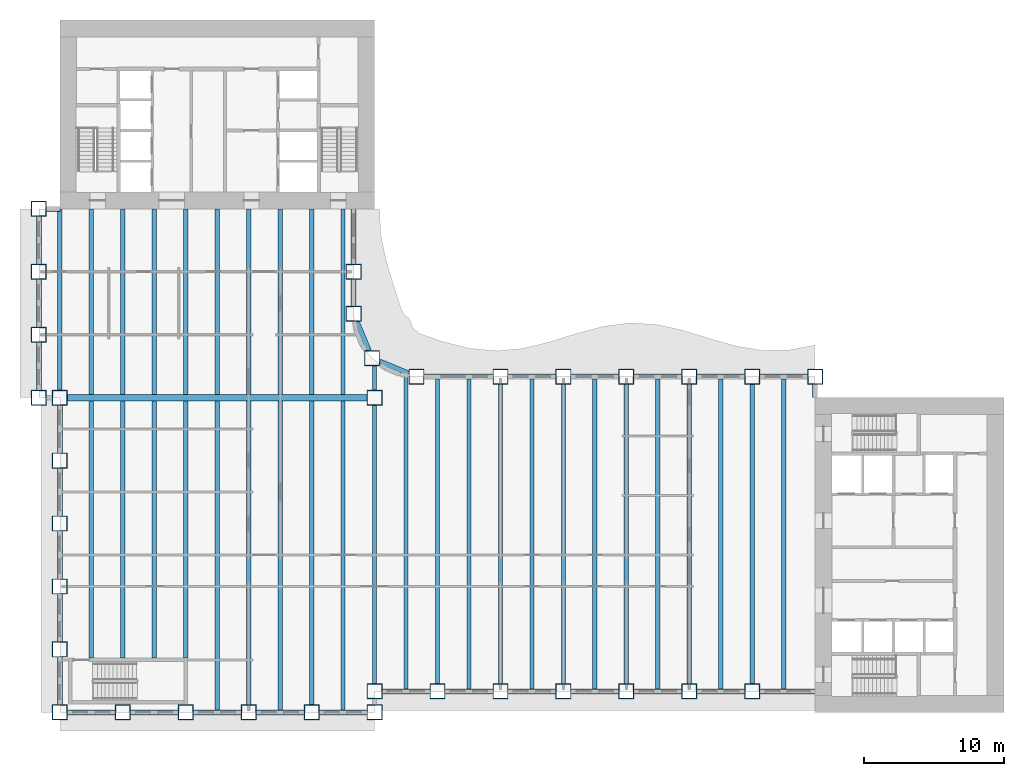
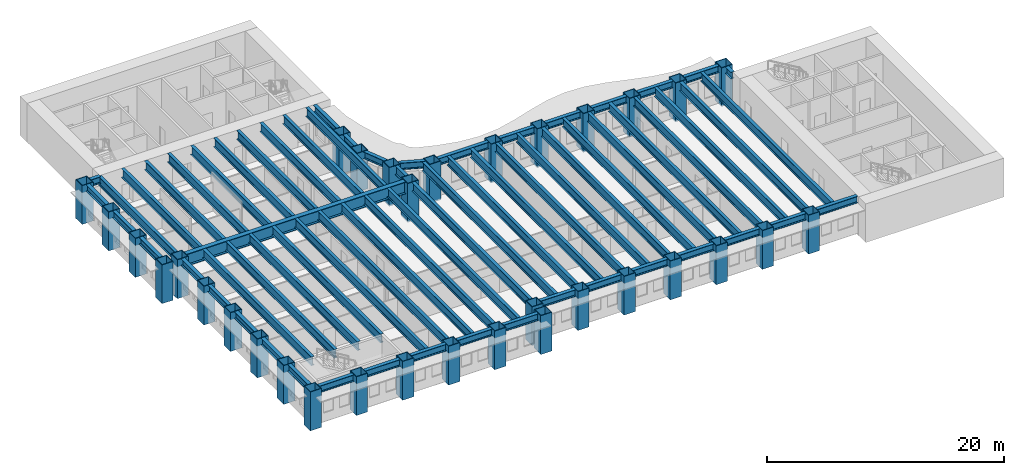
# One storey, part 1 of 15: 67 beams, 33 columns.
"""IFC4 building model written with IfcOpenShell, lengths in metres."""

from ifc_helpers import new_model, si_unit, direction, frame, origin, origin_2d, place, context, subcontext, project, spatial, hollow_rectangle, i_section, extrude, material, material_profile, profile_set, type_object, element, save


model = new_model("IFC4")

# Units and contexts
model_context = context("Model", 3, precision=1e-05, world=origin(), true_north=direction((0.0, 1.0)))
body_context = subcontext(model_context, "Body", "Model", "MODEL_VIEW")
ifc_project = project(units=[si_unit("LENGTHUNIT", "METRE"), si_unit("AREAUNIT", "SQUARE_METRE"), si_unit("VOLUMEUNIT", "CUBIC_METRE"), si_unit("PLANEANGLEUNIT", "RADIAN"), si_unit("MASSUNIT", "GRAM", prefix="KILO")], contexts=[model_context])

# Site, building, storey
site_placement = place(None, origin())
site = spatial("IfcSite", under=ifc_project, at=site_placement, CompositionType="ELEMENT")
building_placement = place(site_placement, origin())
building = spatial("IfcBuilding", under=site, at=building_placement, Name="Sennacour Bend Tower", CompositionType="ELEMENT")
storey_placement = place(building_placement, frame((0.0, 0.0, 61.0)))
storey = spatial("IfcBuildingStorey", under=building, at=storey_placement, Name="L13", CompositionType="ELEMENT", Elevation=61.0)

# Columns
ifc_material_1 = material(Name="Steel ASTM A572 Grade 50", Category="steel")
ifc_material_profile_1 = material_profile(ifc_material_1, hollow_rectangle(XDim=1.10009765625, YDim=1.10009765625, WallThickness=0.06005859375, at=origin_2d()), Name="Steel ASTM A572 Grade 50", Category="steel")
ifc_profile_set_1 = profile_set([ifc_material_profile_1], Name="Steel ASTM A572 Grade 50")
column_type = type_object("IfcColumnType", Name="Box column 1100", PredefinedType="COLUMN", material=ifc_profile_set_1)
for number, where, z_axis, x_axis, name in (
    (1, (-1.5, 22.5, -0.14990234375), (0.0, 0.0, 1.0), (1.0, 0.0, 0.0), "Perimeter column C1 L13-001"),
    (2, (-1.5, 27.0, -0.14990234375), (0.0, 0.0, 1.0), (1.0, 0.0, 0.0), "Perimeter column C1 L13-002"),
    (3, (-1.5, 31.5, -0.14990234375), (0.0, 0.0, 1.0), (1.0, 0.0, 0.0), "Perimeter column C1 L13-003"),
    (4, (-1.5, 36.0, -0.14990234375), (0.0, 0.0, 1.0), (1.0, 0.0, 0.0), "Perimeter column C1 L13-004"),
    (5, (0.0, 0.0, -0.14990234375), (0.0, 0.0, 1.0), (1.0, 0.0, 0.0), "Perimeter column C1 L13-005"),
    (6, (0.0, 4.5, -0.14990234375), (0.0, 0.0, 1.0), (1.0, 0.0, 0.0), "Perimeter column C1 L13-006"),
    (7, (0.0, 9.0, -0.14990234375), (0.0, 0.0, 1.0), (1.0, 0.0, 0.0), "Perimeter column C1 L13-007"),
    (8, (0.0, 13.5, -0.14990234375), (0.0, 0.0, 1.0), (1.0, 0.0, 0.0), "Perimeter column C1 L13-008"),
    (9, (0.0, 18.0, -0.14990234375), (0.0, 0.0, 1.0), (1.0, 0.0, 0.0), "Perimeter column C1 L13-009"),
    (10, (0.0, 22.5, -0.14990234375), (0.0, 0.0, 1.0), (1.0, 0.0, 0.0), "Perimeter column C1 L13-010"),
    (11, (4.5, 0.0, -0.14990234375), (0.0, 0.0, 1.0), (1.0, 0.0, 0.0), "Perimeter column C1 L13-011"),
    (12, (9.0, 0.0, -0.14990234375), (0.0, 0.0, 1.0), (1.0, 0.0, 0.0), "Perimeter column C1 L13-012"),
    (13, (13.5, 0.0, -0.14990234375), (0.0, 0.0, 1.0), (1.0, 0.0, 0.0), "Perimeter column C1 L13-013"),
    (14, (18.0, 0.0, -0.14990234375), (0.0, 0.0, 1.0), (1.0, 0.0, 0.0), "Perimeter column C1 L13-014"),
    (15, (21.0, 28.5, -0.14990234375), (0.0, 0.0, 1.0), (1.0, 0.0, 0.0), "Perimeter column C1 L13-015"),
    (16, (21.0, 31.5, -0.14990234375), (0.0, 0.0, 1.0), (1.0, 0.0, 0.0), "Perimeter column C1 L13-016"),
    (17, (22.318115234375, 25.318115234375, -0.14990234375), (0.0, 0.0, 1.0), (1.0, 0.0, 0.0), "Perimeter column C1 L13-017"),
    (18, (22.5, 0.0, -0.14990234375), (0.0, 0.0, 1.0), (1.0, 0.0, 0.0), "Perimeter column C1 L13-018"),
    (19, (22.5, 1.5, -0.14990234375), (0.0, 0.0, 1.0), (1.0, 0.0, 0.0), "Perimeter column C1 L13-019"),
    (20, (22.5, 22.5, -0.14990234375), (0.0, 0.0, 1.0), (1.0, 0.0, 0.0), "Knuckle column C1 L13-020"),
    (21, (25.5, 24.0, -0.14990234375), (0.0, 0.0, 1.0), (1.0, 0.0, 0.0), "Perimeter column C1 L13-021"),
    (22, (27.0, 1.5, -0.14990234375), (0.0, 0.0, 1.0), (1.0, 0.0, 0.0), "Perimeter column C1 L13-022"),
    (23, (31.5, 1.5, -0.14990234375), (0.0, 0.0, 1.0), (1.0, 0.0, 0.0), "Perimeter column C1 L13-023"),
    (24, (31.5, 24.0, -0.14990234375), (0.0, 0.0, 1.0), (1.0, 0.0, 0.0), "Perimeter column C1 L13-024"),
    (25, (36.0, 1.5, -0.14990234375), (0.0, 0.0, 1.0), (1.0, 0.0, 0.0), "Perimeter column C1 L13-025"),
    (26, (36.0, 24.0, -0.14990234375), (0.0, 0.0, 1.0), (1.0, 0.0, 0.0), "Perimeter column C1 L13-026"),
    (27, (40.5, 1.5, -0.14990234375), (0.0, 0.0, 1.0), (1.0, 0.0, 0.0), "Perimeter column C1 L13-027"),
    (28, (40.5, 24.0, -0.14990234375), (0.0, 0.0, 1.0), (1.0, 0.0, 0.0), "Perimeter column C1 L13-028"),
    (29, (45.0, 1.5, -0.14990234375), (0.0, 0.0, 1.0), (1.0, 0.0, 0.0), "Perimeter column C1 L13-029"),
    (30, (45.0, 24.0, -0.14990234375), (0.0, 0.0, 1.0), (1.0, 0.0, 0.0), "Perimeter column C1 L13-030"),
    (31, (49.5, 1.5, -0.14990234375), (0.0, 0.0, 1.0), (1.0, 0.0, 0.0), "Perimeter column C1 L13-031"),
    (32, (49.5, 24.0, -0.14990234375), (0.0, 0.0, 1.0), (1.0, 0.0, 0.0), "Perimeter column C1 L13-032"),
    (33, (54.0, 24.0, -0.14990234375), (0.0, 0.0, 1.0), (1.0, 0.0, 0.0), "Perimeter column C1 L13-033"),
):
    element("IfcColumn", number, at=place(storey_placement, frame(where, z_axis=z_axis, x_axis=x_axis)), inside=storey, type_object=column_type, Name=name, PredefinedType="COLUMN", context=body_context, shape_type="SweptSolid", body=[
        extrude(hollow_rectangle(XDim=1.10009765625, YDim=1.10009765625, WallThickness=0.06005859375, at=origin_2d()), origin(), (0.0, 0.0, 1.0), 4.0),
    ])

# Beams
ifc_material_2 = material(Name="Steel ASTM A992 Grade 50", Category="steel")
ifc_material_profile_2 = material_profile(ifc_material_2, i_section(OverallWidth=0.304931640625, OverallDepth=0.912109375, WebThickness=0.015869140625, FlangeThickness=0.02392578125, FilletRadius=0.01904296875, at=origin_2d()), Name="Steel ASTM A992 Grade 50", Category="steel")
ifc_profile_set_2 = profile_set([ifc_material_profile_2], Name="Steel ASTM A992 Grade 50")
beam_type_1 = type_object("IfcBeamType", Name="Floor beam W920X223", PredefinedType="BEAM", material=ifc_profile_set_2)
beam_1_placement = place(storey_placement, frame((0.0, 23.050048828125, 3.39404296875), z_axis=(0.0, 1.0, 0.0), x_axis=(-1.0, 0.0, 0.0)))
element("IfcBeam", 34, at=beam_1_placement, inside=storey, type_object=beam_type_1, Name="Floor beam FBM1 L14-001", PredefinedType="BEAM", context=body_context, shape_type="SweptSolid", body=[
    extrude(i_section(OverallWidth=0.304931640625, OverallDepth=0.912109375, WebThickness=0.015869140625, FlangeThickness=0.02392578125, FilletRadius=0.01904296875, at=origin_2d()), origin(), (0.0, 0.0, 1.0), 12.949951171875),
])
beam_2_placement = place(storey_placement, frame((2.25, 3.875, 3.39404296875), z_axis=(0.0, 1.0, 0.0), x_axis=(-1.0, 0.0, 0.0)))
element("IfcBeam", 35, at=beam_2_placement, inside=storey, type_object=beam_type_1, Name="Floor beam FBM1 L14-002", PredefinedType="BEAM", context=body_context, shape_type="SweptSolid", body=[
    extrude(i_section(OverallWidth=0.304931640625, OverallDepth=0.912109375, WebThickness=0.015869140625, FlangeThickness=0.02392578125, FilletRadius=0.01904296875, at=origin_2d()), origin(), (0.0, 0.0, 1.0), 18.39990234375),
])
beam_3_placement = place(storey_placement, frame((2.25, 22.72509765625, 3.39404296875), z_axis=(0.0, 1.0, 0.0), x_axis=(-1.0, 0.0, 0.0)))
element("IfcBeam", 36, at=beam_3_placement, inside=storey, type_object=beam_type_1, Name="Floor beam FBM1 L14-003", PredefinedType="BEAM", context=body_context, shape_type="SweptSolid", body=[
    extrude(i_section(OverallWidth=0.304931640625, OverallDepth=0.912109375, WebThickness=0.015869140625, FlangeThickness=0.02392578125, FilletRadius=0.01904296875, at=origin_2d()), origin(), (0.0, 0.0, 1.0), 13.27490234375),
])
beam_4_placement = place(storey_placement, frame((4.5, 3.875, 3.39404296875), z_axis=(0.0, 1.0, 0.0), x_axis=(-1.0, 0.0, 0.0)))
element("IfcBeam", 37, at=beam_4_placement, inside=storey, type_object=beam_type_1, Name="Floor beam FBM1 L14-004", PredefinedType="BEAM", context=body_context, shape_type="SweptSolid", body=[
    extrude(i_section(OverallWidth=0.304931640625, OverallDepth=0.912109375, WebThickness=0.015869140625, FlangeThickness=0.02392578125, FilletRadius=0.01904296875, at=origin_2d()), origin(), (0.0, 0.0, 1.0), 18.39990234375),
])
beam_5_placement = place(storey_placement, frame((4.5, 22.72509765625, 3.39404296875), z_axis=(0.0, 1.0, 0.0), x_axis=(-1.0, 0.0, 0.0)))
element("IfcBeam", 38, at=beam_5_placement, inside=storey, type_object=beam_type_1, Name="Floor beam FBM1 L14-005", PredefinedType="BEAM", context=body_context, shape_type="SweptSolid", body=[
    extrude(i_section(OverallWidth=0.304931640625, OverallDepth=0.912109375, WebThickness=0.015869140625, FlangeThickness=0.02392578125, FilletRadius=0.01904296875, at=origin_2d()), origin(), (0.0, 0.0, 1.0), 13.27490234375),
])
beam_6_placement = place(storey_placement, frame((6.75, 3.875, 3.39404296875), z_axis=(0.0, 1.0, 0.0), x_axis=(-1.0, 0.0, 0.0)))
element("IfcBeam", 39, at=beam_6_placement, inside=storey, type_object=beam_type_1, Name="Floor beam FBM1 L14-006", PredefinedType="BEAM", context=body_context, shape_type="SweptSolid", body=[
    extrude(i_section(OverallWidth=0.304931640625, OverallDepth=0.912109375, WebThickness=0.015869140625, FlangeThickness=0.02392578125, FilletRadius=0.01904296875, at=origin_2d()), origin(), (0.0, 0.0, 1.0), 18.39990234375),
])
beam_7_placement = place(storey_placement, frame((6.75, 22.72509765625, 3.39404296875), z_axis=(0.0, 1.0, 0.0), x_axis=(-1.0, 0.0, 0.0)))
element("IfcBeam", 40, at=beam_7_placement, inside=storey, type_object=beam_type_1, Name="Floor beam FBM1 L14-007", PredefinedType="BEAM", context=body_context, shape_type="SweptSolid", body=[
    extrude(i_section(OverallWidth=0.304931640625, OverallDepth=0.912109375, WebThickness=0.015869140625, FlangeThickness=0.02392578125, FilletRadius=0.01904296875, at=origin_2d()), origin(), (0.0, 0.0, 1.0), 13.27490234375),
])
beam_8_placement = place(storey_placement, frame((9.0, 3.875, 3.39404296875), z_axis=(0.0, 1.0, 0.0), x_axis=(-1.0, 0.0, 0.0)))
element("IfcBeam", 41, at=beam_8_placement, inside=storey, type_object=beam_type_1, Name="Floor beam FBM1 L14-008", PredefinedType="BEAM", context=body_context, shape_type="SweptSolid", body=[
    extrude(i_section(OverallWidth=0.304931640625, OverallDepth=0.912109375, WebThickness=0.015869140625, FlangeThickness=0.02392578125, FilletRadius=0.01904296875, at=origin_2d()), origin(), (0.0, 0.0, 1.0), 18.39990234375),
])
beam_9_placement = place(storey_placement, frame((9.0, 22.72509765625, 3.39404296875), z_axis=(0.0, 1.0, 0.0), x_axis=(-1.0, 0.0, 0.0)))
element("IfcBeam", 42, at=beam_9_placement, inside=storey, type_object=beam_type_1, Name="Floor beam FBM1 L14-009", PredefinedType="BEAM", context=body_context, shape_type="SweptSolid", body=[
    extrude(i_section(OverallWidth=0.304931640625, OverallDepth=0.912109375, WebThickness=0.015869140625, FlangeThickness=0.02392578125, FilletRadius=0.01904296875, at=origin_2d()), origin(), (0.0, 0.0, 1.0), 13.27490234375),
])
beam_10_placement = place(storey_placement, frame((11.25, 0.178955078125, 3.39404296875), z_axis=(0.0, 1.0, 0.0), x_axis=(-1.0, 0.0, 0.0)))
element("IfcBeam", 43, at=beam_10_placement, inside=storey, type_object=beam_type_1, Name="Floor beam FBM1 L14-010", PredefinedType="BEAM", context=body_context, shape_type="SweptSolid", body=[
    extrude(i_section(OverallWidth=0.304931640625, OverallDepth=0.912109375, WebThickness=0.015869140625, FlangeThickness=0.02392578125, FilletRadius=0.01904296875, at=origin_2d()), origin(), (0.0, 0.0, 1.0), 22.095947265625),
])
beam_11_placement = place(storey_placement, frame((11.25, 22.72509765625, 3.39404296875), z_axis=(0.0, 1.0, 0.0), x_axis=(-1.0, 0.0, 0.0)))
element("IfcBeam", 44, at=beam_11_placement, inside=storey, type_object=beam_type_1, Name="Floor beam FBM1 L14-011", PredefinedType="BEAM", context=body_context, shape_type="SweptSolid", body=[
    extrude(i_section(OverallWidth=0.304931640625, OverallDepth=0.912109375, WebThickness=0.015869140625, FlangeThickness=0.02392578125, FilletRadius=0.01904296875, at=origin_2d()), origin(), (0.0, 0.0, 1.0), 13.27490234375),
])
beam_12_placement = place(storey_placement, frame((13.5, 0.550048828125, 3.39404296875), z_axis=(0.0, 1.0, 0.0), x_axis=(-1.0, 0.0, 0.0)))
element("IfcBeam", 45, at=beam_12_placement, inside=storey, type_object=beam_type_1, Name="Floor beam FBM1 L14-012", PredefinedType="BEAM", context=body_context, shape_type="SweptSolid", body=[
    extrude(i_section(OverallWidth=0.304931640625, OverallDepth=0.912109375, WebThickness=0.015869140625, FlangeThickness=0.02392578125, FilletRadius=0.01904296875, at=origin_2d()), origin(), (0.0, 0.0, 1.0), 21.724853515625),
])
beam_13_placement = place(storey_placement, frame((13.5, 22.72509765625, 3.39404296875), z_axis=(0.0, 1.0, 0.0), x_axis=(-1.0, 0.0, 0.0)))
element("IfcBeam", 46, at=beam_13_placement, inside=storey, type_object=beam_type_1, Name="Floor beam FBM1 L14-013", PredefinedType="BEAM", context=body_context, shape_type="SweptSolid", body=[
    extrude(i_section(OverallWidth=0.304931640625, OverallDepth=0.912109375, WebThickness=0.015869140625, FlangeThickness=0.02392578125, FilletRadius=0.01904296875, at=origin_2d()), origin(), (0.0, 0.0, 1.0), 13.27490234375),
])
beam_14_placement = place(storey_placement, frame((15.75, 0.178955078125, 3.39404296875), z_axis=(0.0, 1.0, 0.0), x_axis=(-1.0, 0.0, 0.0)))
element("IfcBeam", 47, at=beam_14_placement, inside=storey, type_object=beam_type_1, Name="Floor beam FBM1 L14-014", PredefinedType="BEAM", context=body_context, shape_type="SweptSolid", body=[
    extrude(i_section(OverallWidth=0.304931640625, OverallDepth=0.912109375, WebThickness=0.015869140625, FlangeThickness=0.02392578125, FilletRadius=0.01904296875, at=origin_2d()), origin(), (0.0, 0.0, 1.0), 22.095947265625),
])
beam_15_placement = place(storey_placement, frame((15.75, 22.72509765625, 3.39404296875), z_axis=(0.0, 1.0, 0.0), x_axis=(-1.0, 0.0, 0.0)))
element("IfcBeam", 48, at=beam_15_placement, inside=storey, type_object=beam_type_1, Name="Floor beam FBM1 L14-015", PredefinedType="BEAM", context=body_context, shape_type="SweptSolid", body=[
    extrude(i_section(OverallWidth=0.304931640625, OverallDepth=0.912109375, WebThickness=0.015869140625, FlangeThickness=0.02392578125, FilletRadius=0.01904296875, at=origin_2d()), origin(), (0.0, 0.0, 1.0), 13.27490234375),
])
beam_16_placement = place(storey_placement, frame((18.0, 0.550048828125, 3.39404296875), z_axis=(0.0, 1.0, 0.0), x_axis=(-1.0, 0.0, 0.0)))
element("IfcBeam", 49, at=beam_16_placement, inside=storey, type_object=beam_type_1, Name="Floor beam FBM1 L14-016", PredefinedType="BEAM", context=body_context, shape_type="SweptSolid", body=[
    extrude(i_section(OverallWidth=0.304931640625, OverallDepth=0.912109375, WebThickness=0.015869140625, FlangeThickness=0.02392578125, FilletRadius=0.01904296875, at=origin_2d()), origin(), (0.0, 0.0, 1.0), 21.724853515625),
])
beam_17_placement = place(storey_placement, frame((18.0, 22.72509765625, 3.39404296875), z_axis=(0.0, 1.0, 0.0), x_axis=(-1.0, 0.0, 0.0)))
element("IfcBeam", 50, at=beam_17_placement, inside=storey, type_object=beam_type_1, Name="Floor beam FBM1 L14-017", PredefinedType="BEAM", context=body_context, shape_type="SweptSolid", body=[
    extrude(i_section(OverallWidth=0.304931640625, OverallDepth=0.912109375, WebThickness=0.015869140625, FlangeThickness=0.02392578125, FilletRadius=0.01904296875, at=origin_2d()), origin(), (0.0, 0.0, 1.0), 13.27490234375),
])
beam_18_placement = place(storey_placement, frame((20.25, 0.178955078125, 3.39404296875), z_axis=(0.0, 1.0, 0.0), x_axis=(-1.0, 0.0, 0.0)))
element("IfcBeam", 51, at=beam_18_placement, inside=storey, type_object=beam_type_1, Name="Floor beam FBM1 L14-018", PredefinedType="BEAM", context=body_context, shape_type="SweptSolid", body=[
    extrude(i_section(OverallWidth=0.304931640625, OverallDepth=0.912109375, WebThickness=0.015869140625, FlangeThickness=0.02392578125, FilletRadius=0.01904296875, at=origin_2d()), origin(), (0.0, 0.0, 1.0), 22.095947265625),
])
beam_19_placement = place(storey_placement, frame((20.25, 22.72509765625, 3.39404296875), z_axis=(0.0, 1.0, 0.0), x_axis=(-1.0, 0.0, 0.0)))
element("IfcBeam", 52, at=beam_19_placement, inside=storey, type_object=beam_type_1, Name="Floor beam FBM1 L14-019", PredefinedType="BEAM", context=body_context, shape_type="SweptSolid", body=[
    extrude(i_section(OverallWidth=0.304931640625, OverallDepth=0.912109375, WebThickness=0.015869140625, FlangeThickness=0.02392578125, FilletRadius=0.01904296875, at=origin_2d()), origin(), (0.0, 0.0, 1.0), 13.27490234375),
])
beam_20_placement = place(storey_placement, frame((22.5, 2.050048828125, 3.39404296875), z_axis=(0.0, 1.0, 0.0), x_axis=(-1.0, 0.0, 0.0)))
element("IfcBeam", 53, at=beam_20_placement, inside=storey, type_object=beam_type_1, Name="Floor beam FBM1 L14-020", PredefinedType="BEAM", context=body_context, shape_type="SweptSolid", body=[
    extrude(i_section(OverallWidth=0.304931640625, OverallDepth=0.912109375, WebThickness=0.015869140625, FlangeThickness=0.02392578125, FilletRadius=0.01904296875, at=origin_2d()), origin(), (0.0, 0.0, 1.0), 19.89990234375),
])
beam_21_placement = place(storey_placement, frame((22.5, 23.050048828125, 3.39404296875), z_axis=(0.0, 1.0, 0.0), x_axis=(-1.0, 0.0, 0.0)))
element("IfcBeam", 54, at=beam_21_placement, inside=storey, type_object=beam_type_1, Name="Floor beam FBM1 L14-021", PredefinedType="BEAM", context=body_context, shape_type="SweptSolid", body=[
    extrude(i_section(OverallWidth=0.304931640625, OverallDepth=0.912109375, WebThickness=0.015869140625, FlangeThickness=0.02392578125, FilletRadius=0.01904296875, at=origin_2d()), origin(), (0.0, 0.0, 1.0), 1.718017578125),
])
beam_22_placement = place(storey_placement, frame((24.75, 1.678955078125, 3.39404296875), z_axis=(0.0, 1.0, 0.0), x_axis=(-1.0, 0.0, 0.0)))
element("IfcBeam", 55, at=beam_22_placement, inside=storey, type_object=beam_type_1, Name="Floor beam FBM1 L14-022", PredefinedType="BEAM", context=body_context, shape_type="SweptSolid", body=[
    extrude(i_section(OverallWidth=0.304931640625, OverallDepth=0.912109375, WebThickness=0.015869140625, FlangeThickness=0.02392578125, FilletRadius=0.01904296875, at=origin_2d()), origin(), (0.0, 0.0, 1.0), 22.43798828125),
])
beam_23_placement = place(storey_placement, frame((27.0, 2.050048828125, 3.39404296875), z_axis=(0.0, 1.0, 0.0), x_axis=(-1.0, 0.0, 0.0)))
element("IfcBeam", 56, at=beam_23_placement, inside=storey, type_object=beam_type_1, Name="Floor beam FBM1 L14-023", PredefinedType="BEAM", context=body_context, shape_type="SweptSolid", body=[
    extrude(i_section(OverallWidth=0.304931640625, OverallDepth=0.912109375, WebThickness=0.015869140625, FlangeThickness=0.02392578125, FilletRadius=0.01904296875, at=origin_2d()), origin(), (0.0, 0.0, 1.0), 21.77099609375),
])
beam_24_placement = place(storey_placement, frame((29.25, 1.678955078125, 3.39404296875), z_axis=(0.0, 1.0, 0.0), x_axis=(-1.0, 0.0, 0.0)))
element("IfcBeam", 57, at=beam_24_placement, inside=storey, type_object=beam_type_1, Name="Floor beam FBM1 L14-024", PredefinedType="BEAM", context=body_context, shape_type="SweptSolid", body=[
    extrude(i_section(OverallWidth=0.304931640625, OverallDepth=0.912109375, WebThickness=0.015869140625, FlangeThickness=0.02392578125, FilletRadius=0.01904296875, at=origin_2d()), origin(), (0.0, 0.0, 1.0), 22.14208984375),
])
beam_25_placement = place(storey_placement, frame((31.5, 2.050048828125, 3.39404296875), z_axis=(0.0, 1.0, 0.0), x_axis=(-1.0, 0.0, 0.0)))
element("IfcBeam", 58, at=beam_25_placement, inside=storey, type_object=beam_type_1, Name="Floor beam FBM1 L14-025", PredefinedType="BEAM", context=body_context, shape_type="SweptSolid", body=[
    extrude(i_section(OverallWidth=0.304931640625, OverallDepth=0.912109375, WebThickness=0.015869140625, FlangeThickness=0.02392578125, FilletRadius=0.01904296875, at=origin_2d()), origin(), (0.0, 0.0, 1.0), 21.39990234375),
])
beam_26_placement = place(storey_placement, frame((33.75, 1.678955078125, 3.39404296875), z_axis=(0.0, 1.0, 0.0), x_axis=(-1.0, 0.0, 0.0)))
element("IfcBeam", 59, at=beam_26_placement, inside=storey, type_object=beam_type_1, Name="Floor beam FBM1 L14-026", PredefinedType="BEAM", context=body_context, shape_type="SweptSolid", body=[
    extrude(i_section(OverallWidth=0.304931640625, OverallDepth=0.912109375, WebThickness=0.015869140625, FlangeThickness=0.02392578125, FilletRadius=0.01904296875, at=origin_2d()), origin(), (0.0, 0.0, 1.0), 22.14208984375),
])
beam_27_placement = place(storey_placement, frame((36.0, 2.050048828125, 3.39404296875), z_axis=(0.0, 1.0, 0.0), x_axis=(-1.0, 0.0, 0.0)))
element("IfcBeam", 60, at=beam_27_placement, inside=storey, type_object=beam_type_1, Name="Floor beam FBM1 L14-027", PredefinedType="BEAM", context=body_context, shape_type="SweptSolid", body=[
    extrude(i_section(OverallWidth=0.304931640625, OverallDepth=0.912109375, WebThickness=0.015869140625, FlangeThickness=0.02392578125, FilletRadius=0.01904296875, at=origin_2d()), origin(), (0.0, 0.0, 1.0), 21.39990234375),
])
beam_28_placement = place(storey_placement, frame((38.25, 1.678955078125, 3.39404296875), z_axis=(0.0, 1.0, 0.0), x_axis=(-1.0, 0.0, 0.0)))
element("IfcBeam", 61, at=beam_28_placement, inside=storey, type_object=beam_type_1, Name="Floor beam FBM1 L14-028", PredefinedType="BEAM", context=body_context, shape_type="SweptSolid", body=[
    extrude(i_section(OverallWidth=0.304931640625, OverallDepth=0.912109375, WebThickness=0.015869140625, FlangeThickness=0.02392578125, FilletRadius=0.01904296875, at=origin_2d()), origin(), (0.0, 0.0, 1.0), 22.14208984375),
])
beam_29_placement = place(storey_placement, frame((40.5, 2.050048828125, 3.39404296875), z_axis=(0.0, 1.0, 0.0), x_axis=(-1.0, 0.0, 0.0)))
element("IfcBeam", 62, at=beam_29_placement, inside=storey, type_object=beam_type_1, Name="Floor beam FBM1 L14-029", PredefinedType="BEAM", context=body_context, shape_type="SweptSolid", body=[
    extrude(i_section(OverallWidth=0.304931640625, OverallDepth=0.912109375, WebThickness=0.015869140625, FlangeThickness=0.02392578125, FilletRadius=0.01904296875, at=origin_2d()), origin(), (0.0, 0.0, 1.0), 21.39990234375),
])
beam_30_placement = place(storey_placement, frame((42.75, 1.678955078125, 3.39404296875), z_axis=(0.0, 1.0, 0.0), x_axis=(-1.0, 0.0, 0.0)))
element("IfcBeam", 63, at=beam_30_placement, inside=storey, type_object=beam_type_1, Name="Floor beam FBM1 L14-030", PredefinedType="BEAM", context=body_context, shape_type="SweptSolid", body=[
    extrude(i_section(OverallWidth=0.304931640625, OverallDepth=0.912109375, WebThickness=0.015869140625, FlangeThickness=0.02392578125, FilletRadius=0.01904296875, at=origin_2d()), origin(), (0.0, 0.0, 1.0), 22.14208984375),
])
beam_31_placement = place(storey_placement, frame((45.0, 2.050048828125, 3.39404296875), z_axis=(0.0, 1.0, 0.0), x_axis=(-1.0, 0.0, 0.0)))
element("IfcBeam", 64, at=beam_31_placement, inside=storey, type_object=beam_type_1, Name="Floor beam FBM1 L14-031", PredefinedType="BEAM", context=body_context, shape_type="SweptSolid", body=[
    extrude(i_section(OverallWidth=0.304931640625, OverallDepth=0.912109375, WebThickness=0.015869140625, FlangeThickness=0.02392578125, FilletRadius=0.01904296875, at=origin_2d()), origin(), (0.0, 0.0, 1.0), 21.39990234375),
])
beam_32_placement = place(storey_placement, frame((47.25, 1.678955078125, 3.39404296875), z_axis=(0.0, 1.0, 0.0), x_axis=(-1.0, 0.0, 0.0)))
element("IfcBeam", 65, at=beam_32_placement, inside=storey, type_object=beam_type_1, Name="Floor beam FBM1 L14-032", PredefinedType="BEAM", context=body_context, shape_type="SweptSolid", body=[
    extrude(i_section(OverallWidth=0.304931640625, OverallDepth=0.912109375, WebThickness=0.015869140625, FlangeThickness=0.02392578125, FilletRadius=0.01904296875, at=origin_2d()), origin(), (0.0, 0.0, 1.0), 22.14208984375),
])
beam_33_placement = place(storey_placement, frame((49.5, 2.050048828125, 3.39404296875), z_axis=(0.0, 1.0, 0.0), x_axis=(-1.0, 0.0, 0.0)))
element("IfcBeam", 66, at=beam_33_placement, inside=storey, type_object=beam_type_1, Name="Floor beam FBM1 L14-033", PredefinedType="BEAM", context=body_context, shape_type="SweptSolid", body=[
    extrude(i_section(OverallWidth=0.304931640625, OverallDepth=0.912109375, WebThickness=0.015869140625, FlangeThickness=0.02392578125, FilletRadius=0.01904296875, at=origin_2d()), origin(), (0.0, 0.0, 1.0), 21.39990234375),
])
beam_34_placement = place(storey_placement, frame((51.75, 1.678955078125, 3.39404296875), z_axis=(0.0, 1.0, 0.0), x_axis=(-1.0, 0.0, 0.0)))
element("IfcBeam", 67, at=beam_34_placement, inside=storey, type_object=beam_type_1, Name="Floor beam FBM1 L14-034", PredefinedType="BEAM", context=body_context, shape_type="SweptSolid", body=[
    extrude(i_section(OverallWidth=0.304931640625, OverallDepth=0.912109375, WebThickness=0.015869140625, FlangeThickness=0.02392578125, FilletRadius=0.01904296875, at=origin_2d()), origin(), (0.0, 0.0, 1.0), 22.14208984375),
])
ifc_material_profile_3 = material_profile(ifc_material_1, i_section(OverallWidth=0.449951171875, OverallDepth=1.25, WebThickness=0.028076171875, FlangeThickness=0.050048828125, at=origin_2d()), Name="Steel ASTM A572 Grade 50", Category="steel")
ifc_profile_set_3 = profile_set([ifc_material_profile_3], Name="Steel ASTM A572 Grade 50")
beam_type_2 = type_object("IfcBeamType", Name="Knuckle girder 1250", PredefinedType="USERDEFINED", material=ifc_profile_set_3)
beam_35_placement = place(storey_placement, frame((0.550048828125, 22.5, 3.22509765625), z_axis=(1.0, 0.0, 0.0), x_axis=(0.0, 1.0, 0.0)))
element("IfcBeam", 68, at=beam_35_placement, inside=storey, type_object=beam_type_2, Name="Knuckle girder GK L14-001", ObjectType="KNUCKLE GIRDER", PredefinedType="USERDEFINED", context=body_context, shape_type="SweptSolid", body=[
    extrude(i_section(OverallWidth=0.449951171875, OverallDepth=1.25, WebThickness=0.028076171875, FlangeThickness=0.050048828125, at=origin_2d()), origin(), (0.0, 0.0, 1.0), 21.39990234375),
])
ifc_material_profile_4 = material_profile(ifc_material_2, i_section(OverallWidth=0.35791015625, OverallDepth=0.7060546875, WebThickness=0.018310546875, FlangeThickness=0.0302734375, FilletRadius=0.02001953125, at=origin_2d()), Name="Steel ASTM A992 Grade 50", Category="steel")
ifc_profile_set_4 = profile_set([ifc_material_profile_4], Name="Steel ASTM A992 Grade 50")
beam_type_3 = type_object("IfcBeamType", Name="Spandrel beam W690X265", PredefinedType="SPANDREL", material=ifc_profile_set_4)
for number, where, z_axis, x_axis, name in (
    (69, (0.0, 0.550048828125, 3.4970703125), (0.0, 1.0, 0.0), (-1.0, 0.0, 0.0), "Spandrel beam SP2 L14-001"),
    (70, (0.0, 5.050048828125, 3.4970703125), (0.0, 1.0, 0.0), (-1.0, 0.0, 0.0), "Spandrel beam SP2 L14-002"),
    (71, (0.0, 9.550048828125, 3.4970703125), (0.0, 1.0, 0.0), (-1.0, 0.0, 0.0), "Spandrel beam SP2 L14-003"),
    (72, (0.0, 14.050048828125, 3.4970703125), (0.0, 1.0, 0.0), (-1.0, 0.0, 0.0), "Spandrel beam SP2 L14-004"),
    (73, (0.0, 18.550048828125, 3.4970703125), (0.0, 1.0, 0.0), (-1.0, 0.0, 0.0), "Spandrel beam SP2 L14-005"),
    (74, (-1.5, 23.050048828125, 3.4970703125), (0.0, 1.0, 0.0), (-1.0, 0.0, 0.0), "Spandrel beam SP2 L14-006"),
    (75, (-1.5, 27.550048828125, 3.4970703125), (0.0, 1.0, 0.0), (-1.0, 0.0, 0.0), "Spandrel beam SP2 L14-007"),
    (76, (-1.5, 32.050048828125, 3.4970703125), (0.0, 1.0, 0.0), (-1.0, 0.0, 0.0), "Spandrel beam SP2 L14-008"),
):
    element("IfcBeam", number, at=place(storey_placement, frame(where, z_axis=z_axis, x_axis=x_axis)), inside=storey, type_object=beam_type_3, Name=name, PredefinedType="SPANDREL", context=body_context, shape_type="SweptSolid", body=[
        extrude(i_section(OverallWidth=0.35791015625, OverallDepth=0.7060546875, WebThickness=0.018310546875, FlangeThickness=0.0302734375, FilletRadius=0.02001953125, at=origin_2d()), origin(), (0.0, 0.0, 1.0), 3.39990234375),
    ])
beam_36_placement = place(storey_placement, frame((-0.949951171875, 36.0, 3.4970703125), z_axis=(1.0, 0.0, 0.0), x_axis=(0.0, 1.0, 0.0)))
element("IfcBeam", 77, at=beam_36_placement, inside=storey, type_object=beam_type_3, Name="Spandrel beam SP2 L14-009", PredefinedType="SPANDREL", context=body_context, shape_type="SweptSolid", body=[
    extrude(i_section(OverallWidth=0.35791015625, OverallDepth=0.7060546875, WebThickness=0.018310546875, FlangeThickness=0.0302734375, FilletRadius=0.02001953125, at=origin_2d()), origin(), (0.0, 0.0, 1.0), 0.949951171875),
])
beam_37_placement = place(storey_placement, frame((21.0, 36.0, 3.4970703125), z_axis=(0.0, -1.0, 0.0), x_axis=(1.0, 0.0, 0.0)))
element("IfcBeam", 78, at=beam_37_placement, inside=storey, type_object=beam_type_3, Name="Spandrel beam SP2 L14-010", PredefinedType="SPANDREL", context=body_context, shape_type="SweptSolid", body=[
    extrude(i_section(OverallWidth=0.35791015625, OverallDepth=0.7060546875, WebThickness=0.018310546875, FlangeThickness=0.0302734375, FilletRadius=0.02001953125, at=origin_2d()), origin(), (0.0, 0.0, 1.0), 3.949951171875),
])
beam_38_placement = place(storey_placement, frame((21.0, 30.949951171875, 3.4970703125), z_axis=(0.0, -1.0, 0.0), x_axis=(1.0, 0.0, 0.0)))
element("IfcBeam", 79, at=beam_38_placement, inside=storey, type_object=beam_type_3, Name="Spandrel beam SP2 L14-011", PredefinedType="SPANDREL", context=body_context, shape_type="SweptSolid", body=[
    extrude(i_section(OverallWidth=0.35791015625, OverallDepth=0.7060546875, WebThickness=0.018310546875, FlangeThickness=0.0302734375, FilletRadius=0.02001953125, at=origin_2d()), origin(), (0.0, 0.0, 1.0), 1.89990234375),
])
for number, where, z_axis, x_axis, name in (
    (80, (21.227783203125, 27.949951171875, 3.4970703125), (0.382645217415, -0.923895360736, 0.0), (0.923895360736, 0.382645217415, 0.0), "Spandrel beam SP2 L14-012"),
    (81, (22.867919921875, 25.090087890625, 3.4970703125), (0.923895360736, -0.382645217415, 0.0), (0.382645217415, 0.923895360736, 0.0), "Spandrel beam SP2 L14-013"),
):
    element("IfcBeam", number, at=place(storey_placement, frame(where, z_axis=z_axis, x_axis=x_axis)), inside=storey, type_object=beam_type_3, Name=name, PredefinedType="SPANDREL", context=body_context, shape_type="SweptSolid", body=[
        extrude(i_section(OverallWidth=0.35791015625, OverallDepth=0.7060546875, WebThickness=0.018310546875, FlangeThickness=0.0302734375, FilletRadius=0.02001953125, at=origin_2d()), origin(), (0.0, 0.0, 1.0), 2.25341796875),
    ])
beam_39_placement = place(storey_placement, frame((26.050048828125, 24.0, 3.4970703125), z_axis=(1.0, 0.0, 0.0), x_axis=(0.0, 1.0, 0.0)))
element("IfcBeam", 82, at=beam_39_placement, inside=storey, type_object=beam_type_3, Name="Spandrel beam SP2 L14-014", PredefinedType="SPANDREL", context=body_context, shape_type="SweptSolid", body=[
    extrude(i_section(OverallWidth=0.35791015625, OverallDepth=0.7060546875, WebThickness=0.018310546875, FlangeThickness=0.0302734375, FilletRadius=0.02001953125, at=origin_2d()), origin(), (0.0, 0.0, 1.0), 4.89990234375),
])
for number, where, z_axis, x_axis, name in (
    (83, (32.050048828125, 24.0, 3.4970703125), (1.0, 0.0, 0.0), (0.0, 1.0, 0.0), "Spandrel beam SP2 L14-015"),
    (84, (36.550048828125, 24.0, 3.4970703125), (1.0, 0.0, 0.0), (0.0, 1.0, 0.0), "Spandrel beam SP2 L14-016"),
    (85, (41.050048828125, 24.0, 3.4970703125), (1.0, 0.0, 0.0), (0.0, 1.0, 0.0), "Spandrel beam SP2 L14-017"),
    (86, (45.550048828125, 24.0, 3.4970703125), (1.0, 0.0, 0.0), (0.0, 1.0, 0.0), "Spandrel beam SP2 L14-018"),
    (87, (50.050048828125, 24.0, 3.4970703125), (1.0, 0.0, 0.0), (0.0, 1.0, 0.0), "Spandrel beam SP2 L14-019"),
):
    element("IfcBeam", number, at=place(storey_placement, frame(where, z_axis=z_axis, x_axis=x_axis)), inside=storey, type_object=beam_type_3, Name=name, PredefinedType="SPANDREL", context=body_context, shape_type="SweptSolid", body=[
        extrude(i_section(OverallWidth=0.35791015625, OverallDepth=0.7060546875, WebThickness=0.018310546875, FlangeThickness=0.0302734375, FilletRadius=0.02001953125, at=origin_2d()), origin(), (0.0, 0.0, 1.0), 3.39990234375),
    ])
beam_40_placement = place(storey_placement, frame((54.0, 23.449951171875, 3.4970703125), z_axis=(0.0, -1.0, 0.0), x_axis=(1.0, 0.0, 0.0)))
element("IfcBeam", 88, at=beam_40_placement, inside=storey, type_object=beam_type_3, Name="Spandrel beam SP2 L14-020", PredefinedType="SPANDREL", context=body_context, shape_type="SweptSolid", body=[
    extrude(i_section(OverallWidth=0.35791015625, OverallDepth=0.7060546875, WebThickness=0.018310546875, FlangeThickness=0.0302734375, FilletRadius=0.02001953125, at=origin_2d()), origin(), (0.0, 0.0, 1.0), 0.949951171875),
])
beam_41_placement = place(storey_placement, frame((54.0, 1.5, 3.4970703125), z_axis=(-1.0, 0.0, 0.0), x_axis=(0.0, -1.0, 0.0)))
element("IfcBeam", 89, at=beam_41_placement, inside=storey, type_object=beam_type_3, Name="Spandrel beam SP2 L14-021", PredefinedType="SPANDREL", context=body_context, shape_type="SweptSolid", body=[
    extrude(i_section(OverallWidth=0.35791015625, OverallDepth=0.7060546875, WebThickness=0.018310546875, FlangeThickness=0.0302734375, FilletRadius=0.02001953125, at=origin_2d()), origin(), (0.0, 0.0, 1.0), 3.949951171875),
])
for number, where, z_axis, x_axis, name in (
    (90, (48.949951171875, 1.5, 3.4970703125), (-1.0, 0.0, 0.0), (0.0, -1.0, 0.0), "Spandrel beam SP2 L14-022"),
    (91, (44.449951171875, 1.5, 3.4970703125), (-1.0, 0.0, 0.0), (0.0, -1.0, 0.0), "Spandrel beam SP2 L14-023"),
    (92, (39.949951171875, 1.5, 3.4970703125), (-1.0, 0.0, 0.0), (0.0, -1.0, 0.0), "Spandrel beam SP2 L14-024"),
    (93, (35.449951171875, 1.5, 3.4970703125), (-1.0, 0.0, 0.0), (0.0, -1.0, 0.0), "Spandrel beam SP2 L14-025"),
    (94, (30.949951171875, 1.5, 3.4970703125), (-1.0, 0.0, 0.0), (0.0, -1.0, 0.0), "Spandrel beam SP2 L14-026"),
    (95, (26.449951171875, 1.5, 3.4970703125), (-1.0, 0.0, 0.0), (0.0, -1.0, 0.0), "Spandrel beam SP2 L14-027"),
    (96, (21.949951171875, 0.0, 3.4970703125), (-1.0, 0.0, 0.0), (0.0, -1.0, 0.0), "Spandrel beam SP2 L14-028"),
    (97, (17.449951171875, 0.0, 3.4970703125), (-1.0, 0.0, 0.0), (0.0, -1.0, 0.0), "Spandrel beam SP2 L14-029"),
    (98, (12.949951171875, 0.0, 3.4970703125), (-1.0, 0.0, 0.0), (0.0, -1.0, 0.0), "Spandrel beam SP2 L14-030"),
    (99, (8.449951171875, 0.0, 3.4970703125), (-1.0, 0.0, 0.0), (0.0, -1.0, 0.0), "Spandrel beam SP2 L14-031"),
    (100, (3.949951171875, 0.0, 3.4970703125), (-1.0, 0.0, 0.0), (0.0, -1.0, 0.0), "Spandrel beam SP2 L14-032"),
):
    element("IfcBeam", number, at=place(storey_placement, frame(where, z_axis=z_axis, x_axis=x_axis)), inside=storey, type_object=beam_type_3, Name=name, PredefinedType="SPANDREL", context=body_context, shape_type="SweptSolid", body=[
        extrude(i_section(OverallWidth=0.35791015625, OverallDepth=0.7060546875, WebThickness=0.018310546875, FlangeThickness=0.0302734375, FilletRadius=0.02001953125, at=origin_2d()), origin(), (0.0, 0.0, 1.0), 3.39990234375),
    ])

save(model, "model.ifc")
